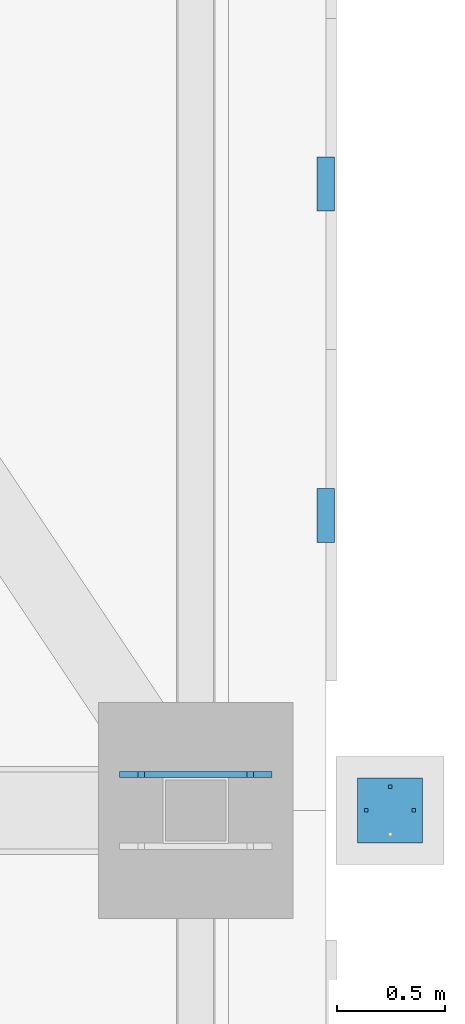
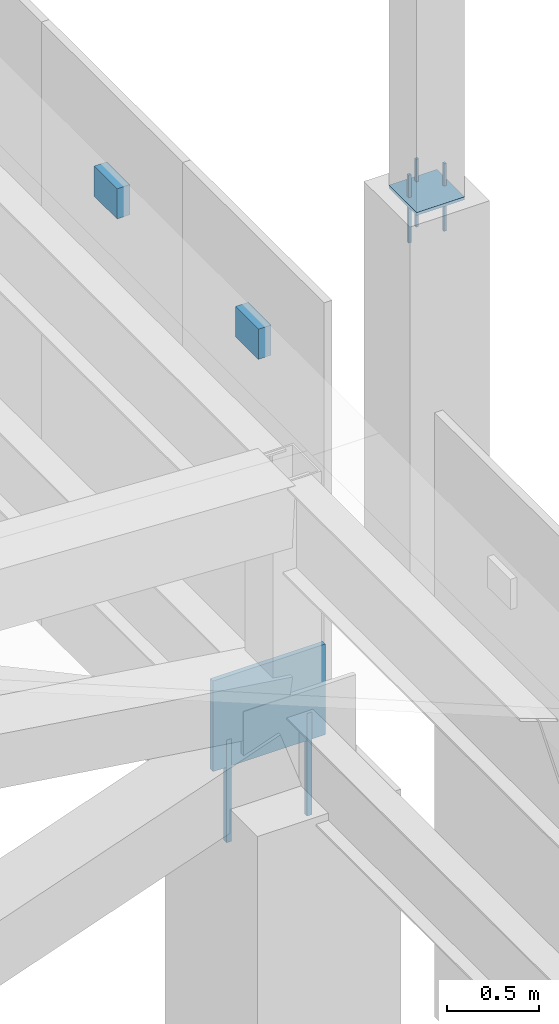
# One storey, part 203 of 278: 5 mechanical fasteners, 4 discrete accessories.
"""IFC4 building model written with IfcOpenShell, lengths in metres."""

from ifc_helpers import new_model, si_unit, direction, frame, origin, origin_2d, place, context, subcontext, project, spatial, rectangle, extrude, material, layer, layer_set, type_object, element, save


model = new_model("IFC4")

# Units and contexts
model_context = context("Model", 3, precision=1e-05, world=origin(), true_north=direction((0.0, 1.0)))
body_context = subcontext(model_context, "Body", "Model", "MODEL_VIEW")
ifc_project = project(units=[si_unit("LENGTHUNIT", "METRE"), si_unit("AREAUNIT", "SQUARE_METRE"), si_unit("VOLUMEUNIT", "CUBIC_METRE"), si_unit("PLANEANGLEUNIT", "RADIAN"), si_unit("MASSUNIT", "GRAM", prefix="KILO")], contexts=[model_context])

# Site, building, storey
site_placement = place(None, origin())
site = spatial("IfcSite", under=ifc_project, at=site_placement, CompositionType="ELEMENT")
building_placement = place(site_placement, origin())
building = spatial("IfcBuilding", under=site, at=building_placement, Name="Ogive Plaza Stadium", CompositionType="ELEMENT")
storey_placement = place(building_placement, frame((0.0, 0.0, 29.0)))
storey = spatial("IfcBuildingStorey", under=building, at=storey_placement, Name="Roof", CompositionType="ELEMENT", Elevation=29.0)

# Mechanical fasteners
ifc_material_1 = material(Name="Steel ASTM A992 Grade 50", Category="steel")
mechanical_fastener_type_1 = type_object("IfcMechanicalFastenerType", Name="Anchor bolt M30 x 600", PredefinedType="ANCHORBOLT", material=ifc_material_1)
for number, where, z_axis, x_axis, name in (
    (1, (84.25244140625, -7.33349609375, 3.0), (0.0, 0.0, 1.0), (1.0, 0.0, 0.0), "ANCHOR BOLT 05 BF 1.1"),
    (2, (83.74755859375, -7.33349609375, 3.0), (0.0, 0.0, 1.0), (1.0, 0.0, 0.0), "ANCHOR BOLT 05 BF 1.2"),
):
    element("IfcMechanicalFastener", number, at=place(storey_placement, frame(where, z_axis=z_axis, x_axis=x_axis)), inside=storey, type_object=mechanical_fastener_type_1, Name=name, PredefinedType="ANCHORBOLT", context=body_context, shape_type="SweptSolid", body=[
        extrude(rectangle(XDim=0.030029296875, YDim=0.030029296875, at=origin_2d()), origin(), (0.0, 0.0, 1.0), 0.679931640625),
    ])
ifc_material_2 = material(Name="Steel ASTM A992 Grade 50", Category="steel")
mechanical_fastener_type_2 = type_object("IfcMechanicalFastenerType", Name="Spire anchor bolt M16 x 450", PredefinedType="ANCHORBOLT", material=ifc_material_2)
for number, where, z_axis, x_axis, name in (
    (3, (85.010009765625, -7.5, 6.7001953125), (0.0, 0.0, 1.0), (1.0, 0.0, 0.0), "SPIRE ANCHOR BOLT 05 1"),
    (4, (84.7900390625, -7.5, 6.7001953125), (0.0, 0.0, 1.0), (1.0, 0.0, 0.0), "SPIRE ANCHOR BOLT 05 2"),
    (5, (84.89990234375, -7.389892578125, 6.7001953125), (0.0, 0.0, 1.0), (1.0, 0.0, 0.0), "SPIRE ANCHOR BOLT 05 3"),
):
    element("IfcMechanicalFastener", number, at=place(storey_placement, frame(where, z_axis=z_axis, x_axis=x_axis)), inside=storey, type_object=mechanical_fastener_type_2, Name=name, PredefinedType="ANCHORBOLT", context=body_context, shape_type="SweptSolid", body=[
        extrude(rectangle(XDim=0.01611328125, YDim=0.01611328125, at=origin_2d()), origin(), (0.0, 0.0, 1.0), 0.449951171875),
    ])

# Discrete accessories
ifc_material_3 = material(Name="Steel ASTM A992 Grade 50", Category="steel")
ifc_layer_1 = layer(ifc_material_3, 0.02001953125)
ifc_layer_set_1 = layer_set([ifc_layer_1], Name="Steel ASTM A992 Grade 50")
discrete_accessory_type_1 = type_object("IfcDiscreteAccessoryType", Name="Spire seat plate 20", PredefinedType="ANCHORPLATE", material=ifc_layer_set_1)
discrete_accessory_1_placement = place(storey_placement, frame((84.89990234375, -7.5, 6.98095703125), z_axis=(0.0, 0.0, 1.0), x_axis=(1.0, 0.0, 0.0)))
element("IfcDiscreteAccessory", 6, at=discrete_accessory_1_placement, inside=storey, type_object=discrete_accessory_type_1, Name="SPIRE SEAT PLATE 05", PredefinedType="ANCHORPLATE", context=body_context, shape_type="SweptSolid", body=[
    extrude(rectangle(XDim=0.300048828125, YDim=0.300048828125, at=origin_2d()), origin(), (0.0, 0.0, 1.0), 0.02001953125),
])
ifc_material_4 = material(Name="Steel ASTM A572 Grade 50", Category="steel")
ifc_layer_2 = layer(ifc_material_4, 0.080078125)
ifc_layer_set_2 = layer_set([ifc_layer_2], Name="Steel ASTM A572 Grade 50")
discrete_accessory_type_2 = type_object("IfcDiscreteAccessoryType", Name="Tracery screen bracket 250x200", PredefinedType="BRACKET", material=ifc_layer_set_2)
for number, where, z_axis, x_axis, name in (
    (7, (84.602294921875, -4.60009765625, 5.25), (0.0, 0.0, 1.0), (0.0, -1.0, 0.0), "TRACERY SCREEN BRACKET B04 8"),
    (8, (84.602294921875, -6.13330078125, 5.25), (0.0, 0.0, 1.0), (0.0, -1.0, 0.0), "TRACERY SCREEN BRACKET B04 9"),
):
    element("IfcDiscreteAccessory", number, at=place(storey_placement, frame(where, z_axis=z_axis, x_axis=x_axis)), inside=storey, type_object=discrete_accessory_type_2, Name=name, PredefinedType="BRACKET", context=body_context, shape_type="SweptSolid", body=[
        extrude(rectangle(XDim=0.25, YDim=0.080078125, at=origin_2d()), origin(), (0.0, 0.0, 1.0), 0.199951171875),
    ])
ifc_material_5 = material(Name="Steel ASTM A992 Grade 50", Category="steel")
ifc_layer_3 = layer(ifc_material_5, 0.030029296875)
ifc_layer_set_3 = layer_set([ifc_layer_3], Name="Steel ASTM A992 Grade 50")
discrete_accessory_type_3 = type_object("IfcDiscreteAccessoryType", Name="Truss back-stay foot cleat plate 30", PredefinedType="ANCHORPLATE", material=ifc_layer_set_3)
discrete_accessory_2_placement = place(storey_placement, frame((84.0, -7.33349609375, 3.5), z_axis=(0.0, 0.0, 1.0), x_axis=(1.0, 0.0, 0.0)))
element("IfcDiscreteAccessory", 9, at=discrete_accessory_2_placement, inside=storey, type_object=discrete_accessory_type_3, Name="TRUSS BACK-STAY FOOT CLEAT PLATE 05 1", PredefinedType="ANCHORPLATE", context=body_context, shape_type="SweptSolid", body=[
    extrude(rectangle(XDim=0.704833984375, YDim=0.030029296875, at=origin_2d()), origin(), (0.0, 0.0, 1.0), 0.60009765625),
])

save(model, "model.ifc")
